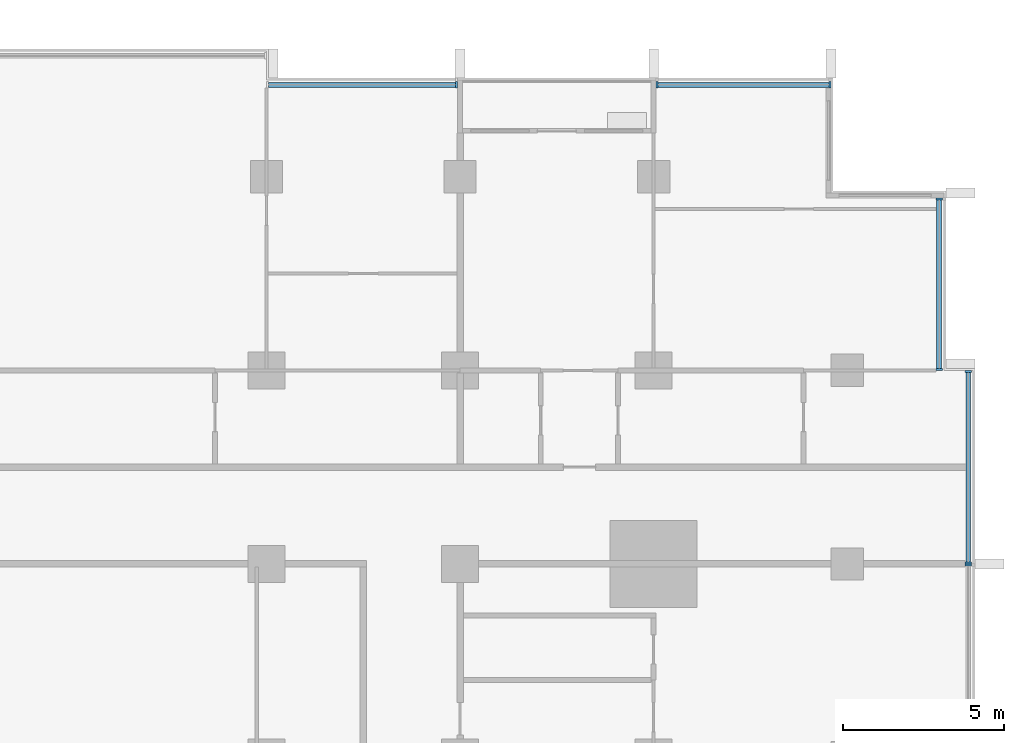
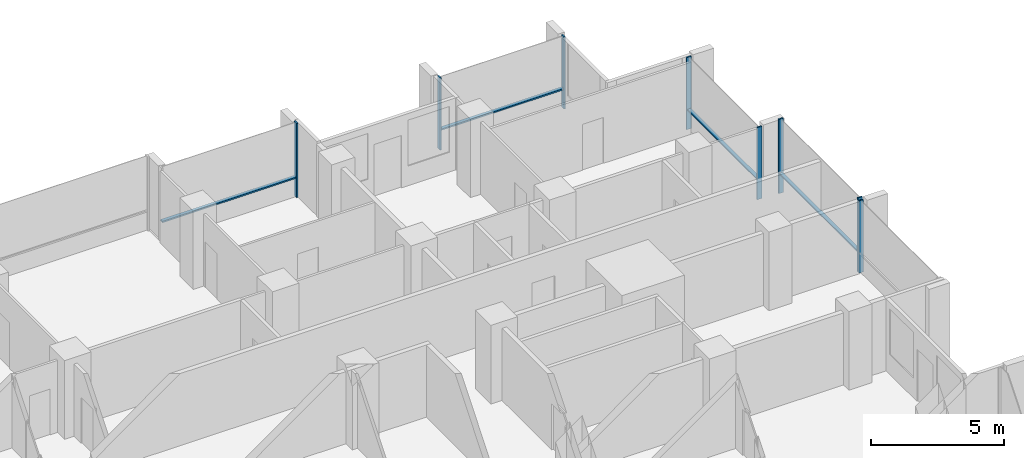
# One storey, part 5 of 17: 12 members, 5 elements without a shape of their own.
"""IFC4 building model written with IfcOpenShell, lengths in metres."""

from ifc_helpers import new_model, si_unit, direction, frame, origin, origin_2d, place, context, subcontext, project, spatial, rectangle, extrude, material, material_profile, profile_set, type_object, element, aggregate, save


model = new_model("IFC4")

# Units and contexts
model_context = context("Model", 3, precision=1e-05, world=origin(), true_north=direction((0.0, 1.0)))
body_context = subcontext(model_context, "Body", "Model", "MODEL_VIEW")
ifc_project = project(units=[si_unit("LENGTHUNIT", "METRE"), si_unit("AREAUNIT", "SQUARE_METRE"), si_unit("VOLUMEUNIT", "CUBIC_METRE"), si_unit("PLANEANGLEUNIT", "RADIAN"), si_unit("MASSUNIT", "GRAM", prefix="KILO")], contexts=[model_context])

# Site, building, storey
site_placement = place(None, origin())
site = spatial("IfcSite", under=ifc_project, at=site_placement, CompositionType="ELEMENT")
building_placement = place(site_placement, origin())
building = spatial("IfcBuilding", under=site, at=building_placement, Name="Finial Court Residences", CompositionType="ELEMENT")
storey_placement = place(building_placement, frame((0.0, 0.0, 120.699951171875)))
storey = spatial("IfcBuildingStorey", under=building, at=storey_placement, Name="L30", CompositionType="ELEMENT", Elevation=120.699951171875)

# Curtain wall, member
ifc_material = material(Name="Bronze anodised aluminium", Category="aluminium")
curtain_wall_type = type_object("IfcCurtainWallType", Name="Unitised curtain wall, lower and middle zones", PredefinedType="NOTDEFINED", material=ifc_material)
curtain_wall_1_placement = place(storey_placement, origin())
curtain_wall_1 = element("IfcCurtainWall", 1, at=curtain_wall_1_placement, inside=storey, type_object=curtain_wall_type, Name="E-L30-CW-N4", PredefinedType="NOTDEFINED")
ifc_material_profile_1 = material_profile(ifc_material, rectangle(XDim=0.199951171875, YDim=0.06494140625, at=origin_2d()), Name="CW1 mullion 65 x 200")
ifc_profile_set_1 = profile_set([ifc_material_profile_1], Name="Bronze anodised aluminium")
member_type_1 = type_object("IfcMemberType", Name="CW1 mullion 65 x 200", PredefinedType="MULLION", material=ifc_profile_set_1)
member_1_placement = place(storey_placement, frame((10.392578125, 22.35009765625, 0.0), z_axis=(0.0, 0.0, 1.0), x_axis=(0.0, 1.0, 0.0)))
member_1 = element("IfcMember", 2, at=member_1_placement, type_object=member_type_1, Name="CW1 mullion 2", PredefinedType="MULLION", context=body_context, shape_type="SweptSolid", body=[
    extrude(rectangle(XDim=0.199951171875, YDim=0.06494140625, at=origin_2d()), origin(), (0.0, 0.0, 1.0), 3.400146484375),
])

# Curtain wall, members
curtain_wall_2_placement = place(storey_placement, origin())
curtain_wall_2 = element("IfcCurtainWall", 3, at=curtain_wall_2_placement, inside=storey, type_object=curtain_wall_type, Name="E-L30-CW-N5", PredefinedType="NOTDEFINED")
member_2_placement = place(storey_placement, frame((16.607421875, 22.35009765625, 0.0), z_axis=(0.0, 0.0, 1.0), x_axis=(0.0, 1.0, 0.0)))
member_2 = element("IfcMember", 4, at=member_2_placement, type_object=member_type_1, Name="CW1 mullion 1", PredefinedType="MULLION", context=body_context, shape_type="SweptSolid", body=[
    extrude(rectangle(XDim=0.199951171875, YDim=0.06494140625, at=origin_2d()), origin(), (0.0, 0.0, 1.0), 3.300048828125),
])
member_3_placement = place(storey_placement, frame((21.967529296875, 22.35009765625, 0.0), z_axis=(0.0, 0.0, 1.0), x_axis=(0.0, 1.0, 0.0)))
member_3 = element("IfcMember", 5, at=member_3_placement, type_object=member_type_1, Name="CW1 mullion 2", PredefinedType="MULLION", context=body_context, shape_type="SweptSolid", body=[
    extrude(rectangle(XDim=0.199951171875, YDim=0.06494140625, at=origin_2d()), origin(), (0.0, 0.0, 1.0), 3.300048828125),
])

# Curtain wall, member
curtain_wall_3_placement = place(storey_placement, origin())
curtain_wall_3 = element("IfcCurtainWall", 6, at=curtain_wall_3_placement, inside=storey, type_object=curtain_wall_type, Name="E-L30-CW-E7", PredefinedType="NOTDEFINED")
member_4_placement = place(storey_placement, frame((26.25, 7.467529296875, 0.0), z_axis=(0.0, 0.0, 1.0), x_axis=(-1.0, 0.0, 0.0)))
member_4 = element("IfcMember", 7, at=member_4_placement, type_object=member_type_1, Name="CW1 mullion 2", PredefinedType="MULLION", context=body_context, shape_type="SweptSolid", body=[
    extrude(rectangle(XDim=0.199951171875, YDim=0.06494140625, at=origin_2d()), origin(), (0.0, 0.0, 1.0), 3.300048828125),
])
aggregate(curtain_wall_3, [member_4])

# Curtain wall, members
curtain_wall_4_placement = place(storey_placement, origin())
curtain_wall_4 = element("IfcCurtainWall", 8, at=curtain_wall_4_placement, inside=storey, type_object=curtain_wall_type, Name="E-L30-CW-E8", PredefinedType="NOTDEFINED")
member_5_placement = place(storey_placement, frame((26.25, 7.532470703125, 0.0), z_axis=(0.0, 0.0, 1.0), x_axis=(-1.0, 0.0, 0.0)))
member_5 = element("IfcMember", 9, at=member_5_placement, type_object=member_type_1, Name="CW1 mullion 1", PredefinedType="MULLION", context=body_context, shape_type="SweptSolid", body=[
    extrude(rectangle(XDim=0.199951171875, YDim=0.06494140625, at=origin_2d()), origin(), (0.0, 0.0, 1.0), 3.400146484375),
])
member_6_placement = place(storey_placement, frame((26.25, 13.467529296875, 0.0), z_axis=(0.0, 0.0, 1.0), x_axis=(-1.0, 0.0, 0.0)))
member_6 = element("IfcMember", 10, at=member_6_placement, type_object=member_type_1, Name="CW1 mullion 2", PredefinedType="MULLION", context=body_context, shape_type="SweptSolid", body=[
    extrude(rectangle(XDim=0.199951171875, YDim=0.06494140625, at=origin_2d()), origin(), (0.0, 0.0, 1.0), 3.400146484375),
])

curtain_wall_5_placement = place(storey_placement, origin())
curtain_wall_5 = element("IfcCurtainWall", 11, at=curtain_wall_5_placement, inside=storey, type_object=curtain_wall_type, Name="E-L30-CW-E9", PredefinedType="NOTDEFINED")
member_7_placement = place(storey_placement, frame((25.35009765625, 13.532470703125, 0.0), z_axis=(0.0, 0.0, 1.0), x_axis=(-1.0, 0.0, 0.0)))
member_7 = element("IfcMember", 12, at=member_7_placement, type_object=member_type_1, Name="CW1 mullion 1", PredefinedType="MULLION", context=body_context, shape_type="SweptSolid", body=[
    extrude(rectangle(XDim=0.199951171875, YDim=0.06494140625, at=origin_2d()), origin(), (0.0, 0.0, 1.0), 3.300048828125),
])
member_8_placement = place(storey_placement, frame((25.35009765625, 18.8173828125, 0.0), z_axis=(0.0, 0.0, 1.0), x_axis=(-1.0, 0.0, 0.0)))
member_8 = element("IfcMember", 13, at=member_8_placement, type_object=member_type_1, Name="CW1 mullion 2", PredefinedType="MULLION", context=body_context, shape_type="SweptSolid", body=[
    extrude(rectangle(XDim=0.199951171875, YDim=0.06494140625, at=origin_2d()), origin(), (0.0, 0.0, 1.0), 3.300048828125),
])

# Member
ifc_material_profile_2 = material_profile(ifc_material, rectangle(XDim=0.14990234375, YDim=0.06494140625, at=origin_2d()), Name="CW1 transom 65 x 150")
ifc_profile_set_2 = profile_set([ifc_material_profile_2], Name="Bronze anodised aluminium")
member_type_2 = type_object("IfcMemberType", Name="CW1 transom 65 x 150", PredefinedType="USERDEFINED", material=ifc_profile_set_2)
member_9_placement = place(storey_placement, frame((4.56494140625, 22.35009765625, 0.900146484375), z_axis=(1.0, 0.0, 0.0), x_axis=(0.0, 1.0, 0.0)))
member_9 = element("IfcMember", 14, at=member_9_placement, type_object=member_type_2, Name="CW1 transom 1.1", ObjectType="TRANSOM", PredefinedType="USERDEFINED", context=body_context, shape_type="SweptSolid", body=[
    extrude(rectangle(XDim=0.14990234375, YDim=0.06494140625, at=origin_2d()), origin(), (0.0, 0.0, 1.0), 5.795166015625),
])

aggregate(curtain_wall_1, [member_1, member_9])

member_10_placement = place(storey_placement, frame((16.639892578125, 22.35009765625, 0.900146484375), z_axis=(1.0, 0.0, 0.0), x_axis=(0.0, 1.0, 0.0)))
member_10 = element("IfcMember", 15, at=member_10_placement, type_object=member_type_2, Name="CW1 transom 1.1", ObjectType="TRANSOM", PredefinedType="USERDEFINED", context=body_context, shape_type="SweptSolid", body=[
    extrude(rectangle(XDim=0.14990234375, YDim=0.06494140625, at=origin_2d()), origin(), (0.0, 0.0, 1.0), 5.295166015625),
])

aggregate(curtain_wall_2, [member_2, member_3, member_10])

member_11_placement = place(storey_placement, frame((26.25, 7.56494140625, 0.900146484375), z_axis=(0.0, 1.0, 0.0), x_axis=(-1.0, 0.0, 0.0)))
member_11 = element("IfcMember", 16, at=member_11_placement, type_object=member_type_2, Name="CW1 transom 1.1", ObjectType="TRANSOM", PredefinedType="USERDEFINED", context=body_context, shape_type="SweptSolid", body=[
    extrude(rectangle(XDim=0.14990234375, YDim=0.06494140625, at=origin_2d()), origin(), (0.0, 0.0, 1.0), 5.8701171875),
])

aggregate(curtain_wall_4, [member_5, member_6, member_11])

member_12_placement = place(storey_placement, frame((25.35009765625, 13.56494140625, 0.900146484375), z_axis=(0.0, 1.0, 0.0), x_axis=(-1.0, 0.0, 0.0)))
member_12 = element("IfcMember", 17, at=member_12_placement, type_object=member_type_2, Name="CW1 transom 1.1", ObjectType="TRANSOM", PredefinedType="USERDEFINED", context=body_context, shape_type="SweptSolid", body=[
    extrude(rectangle(XDim=0.14990234375, YDim=0.06494140625, at=origin_2d()), origin(), (0.0, 0.0, 1.0), 5.219970703125),
])

aggregate(curtain_wall_5, [member_7, member_8, member_12])

save(model, "model.ifc")
